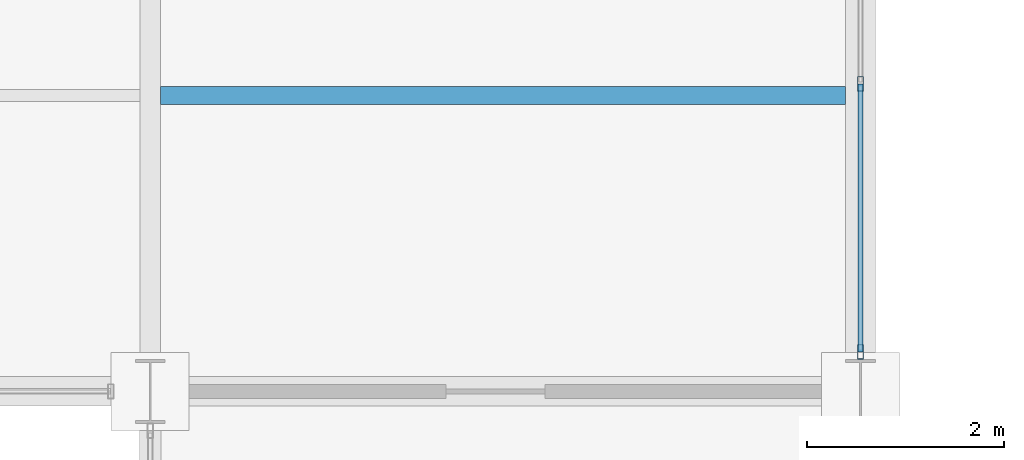
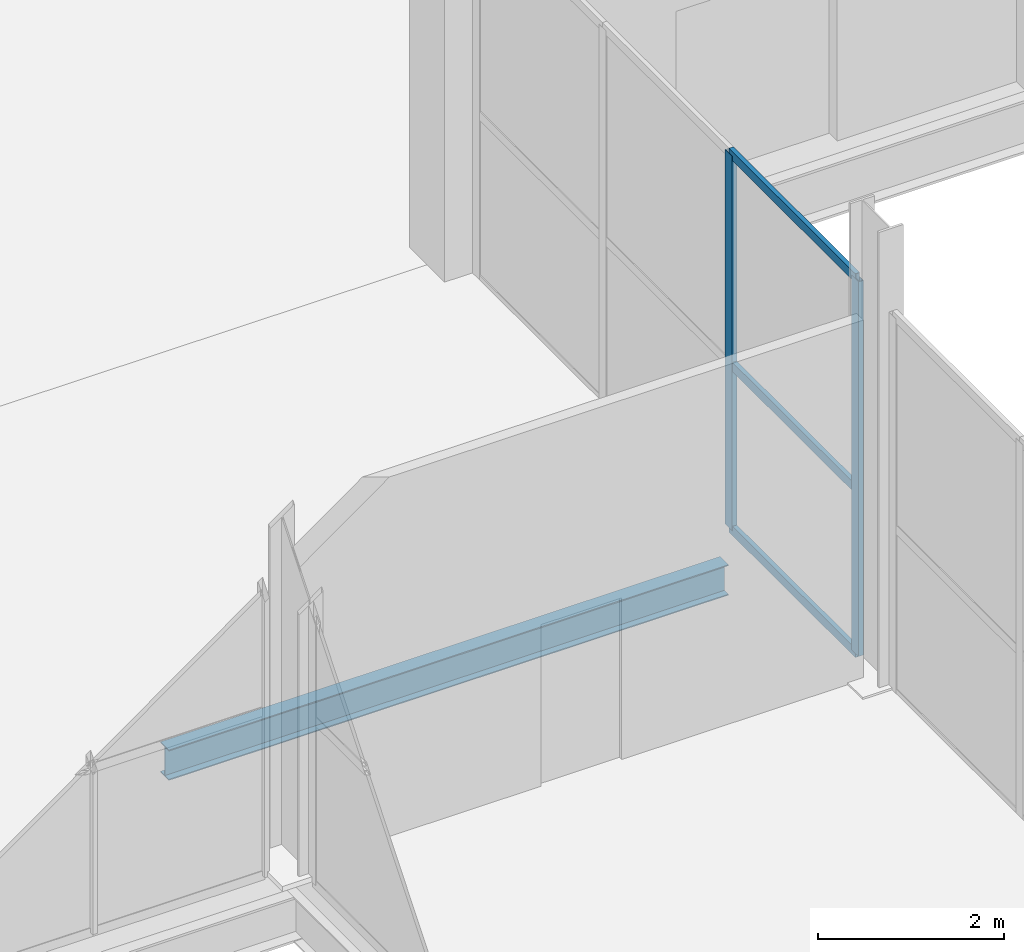
# One storey, part 97 of 144: 5 members, 1 beam, 1 element without a shape of its own.
"""IFC4 building model written with IfcOpenShell, lengths in metres."""

from ifc_helpers import new_model, si_unit, direction, frame, origin, origin_2d, place, context, subcontext, project, spatial, hollow_rectangle, i_section, extrude, material, layer, layer_set, material_profile, profile_set, type_object, element, aggregate, save


model = new_model("IFC4")

# Units and contexts
model_context = context("Model", 3, precision=1e-05, world=origin(), true_north=direction((0.0, 1.0)))
body_context = subcontext(model_context, "Body", "Model", "MODEL_VIEW")
ifc_project = project(units=[si_unit("LENGTHUNIT", "METRE"), si_unit("AREAUNIT", "SQUARE_METRE"), si_unit("VOLUMEUNIT", "CUBIC_METRE"), si_unit("PLANEANGLEUNIT", "RADIAN"), si_unit("MASSUNIT", "GRAM", prefix="KILO")], contexts=[model_context])

# Site, building, storey
site_placement = place(None, origin())
site = spatial("IfcSite", under=ifc_project, at=site_placement, CompositionType="ELEMENT")
building_placement = place(site_placement, origin())
building = spatial("IfcBuilding", under=site, at=building_placement, Name="Sundgate Opera House", CompositionType="ELEMENT")
storey_placement = place(building_placement, origin())
storey = spatial("IfcBuildingStorey", under=building, at=storey_placement, Name="L00", CompositionType="ELEMENT", Elevation=0.0)

# Beam
ifc_material_1 = material(Name="Steel S355J2", Category="steel")
ifc_material_profile_1 = material_profile(ifc_material_1, i_section(OverallWidth=0.179931640625, OverallDepth=0.39990234375, WebThickness=0.008544921875, FlangeThickness=0.013427734375, at=origin_2d()), Name="IPE 400")
ifc_profile_set_1 = profile_set([ifc_material_profile_1], Name="Steel S355J2")
beam_type = type_object("IfcBeamType", Name="BM-JS-IPE400", PredefinedType="JOIST", material=ifc_profile_set_1)
beam_placement = place(storey_placement, frame((138.705078125, 63.0, -0.52001953125), z_axis=(1.0, 0.0, 0.0), x_axis=(0.0, 1.0, 0.0)))
element("IfcBeam", 1, at=beam_placement, inside=storey, type_object=beam_type, Name="L00 Secondary Floor Joist B0834", PredefinedType="JOIST", context=body_context, shape_type="SweptSolid", body=[
    extrude(i_section(OverallWidth=0.179931640625, OverallDepth=0.39990234375, WebThickness=0.008544921875, FlangeThickness=0.013427734375, at=origin_2d()), origin(), (0.0, 0.0, 1.0), 6.94482421875),
])

# Curtain wall, members
ifc_material_2 = material(Name="Anodized aluminium and low-iron glass", Category="aluminium")
ifc_layer = layer(ifc_material_2, 0.159912109375)
ifc_layer_set = layer_set([ifc_layer], Name="Anodized aluminium and low-iron glass")
curtain_wall_type = type_object("IfcCurtainWallType", Name="CW-STUDIO-DARK", PredefinedType="NOTDEFINED", material=ifc_layer_set)
curtain_wall_placement = place(storey_placement, origin())
curtain_wall = element("IfcCurtainWall", 2, at=curtain_wall_placement, inside=storey, type_object=curtain_wall_type, Name="L00 Curtain Wall CW033", PredefinedType="NOTDEFINED")
ifc_material_3 = material(Name="Anodized aluminium EN AW-6063", Category="aluminium")
ifc_material_profile_2 = material_profile(ifc_material_3, hollow_rectangle(XDim=0.06005859375, YDim=0.14990234375, WallThickness=0.00390625, at=origin_2d()), Name="CWM 150x60x4")
ifc_profile_set_2 = profile_set([ifc_material_profile_2], Name="Anodized aluminium EN AW-6063")
member_type_1 = type_object("IfcMemberType", Name="CWM-ALU-150x60", PredefinedType="MULLION", material=ifc_profile_set_2)
member_1_placement = place(storey_placement, frame((145.800048828125, 60.39990234375, 0.0), z_axis=(0.0, 0.0, 1.0), x_axis=(1.0, 0.0, 0.0)))
member_1 = element("IfcMember", 3, at=member_1_placement, type_object=member_type_1, Name="CW033 Mullion 1", PredefinedType="MULLION", context=body_context, shape_type="SweptSolid", body=[
    extrude(hollow_rectangle(XDim=0.06005859375, YDim=0.14990234375, WallThickness=0.00390625, at=origin_2d()), origin(), (0.0, 0.0, 1.0), 4.9150390625),
])
member_2_placement = place(storey_placement, frame((145.800048828125, 63.11669921875, 0.0), z_axis=(0.0, 0.0, 1.0), x_axis=(1.0, 0.0, 0.0)))
member_2 = element("IfcMember", 4, at=member_2_placement, type_object=member_type_1, Name="CW033 Mullion 2", PredefinedType="MULLION", context=body_context, shape_type="SweptSolid", body=[
    extrude(hollow_rectangle(XDim=0.06005859375, YDim=0.14990234375, WallThickness=0.00390625, at=origin_2d()), origin(), (0.0, 0.0, 1.0), 4.9150390625),
])
ifc_material_4 = material(Name="Anodized aluminium EN AW-6063", Category="aluminium")
ifc_material_profile_3 = material_profile(ifc_material_4, hollow_rectangle(XDim=0.054931640625, YDim=0.1201171875, WallThickness=0.00390625, at=origin_2d()), Name="CWT 120x55x4")
ifc_profile_set_3 = profile_set([ifc_material_profile_3], Name="Anodized aluminium EN AW-6063")
member_type_2 = type_object("IfcMemberType", Name="CWT-ALU-120x55", PredefinedType="USERDEFINED", material=ifc_profile_set_3)
member_3_placement = place(storey_placement, frame((145.800048828125, 60.39990234375, 0.0), z_axis=(0.0, 1.0, 0.0), x_axis=(-1.0, 0.0, 0.0)))
member_3 = element("IfcMember", 5, at=member_3_placement, type_object=member_type_2, Name="CW033 Transom 1", ObjectType="TRANSOM", PredefinedType="USERDEFINED", context=body_context, shape_type="SweptSolid", body=[
    extrude(hollow_rectangle(XDim=0.054931640625, YDim=0.1201171875, WallThickness=0.00390625, at=origin_2d()), origin(), (0.0, 0.0, 1.0), 2.716796875),
])
member_4_placement = place(storey_placement, frame((145.800048828125, 60.39990234375, 2.14990234375), z_axis=(0.0, 1.0, 0.0), x_axis=(-1.0, 0.0, 0.0)))
member_4 = element("IfcMember", 6, at=member_4_placement, type_object=member_type_2, Name="CW033 Transom 2", ObjectType="TRANSOM", PredefinedType="USERDEFINED", context=body_context, shape_type="SweptSolid", body=[
    extrude(hollow_rectangle(XDim=0.054931640625, YDim=0.1201171875, WallThickness=0.00390625, at=origin_2d()), origin(), (0.0, 0.0, 1.0), 2.716796875),
])
member_5_placement = place(storey_placement, frame((145.800048828125, 60.39990234375, 4.9150390625), z_axis=(0.0, 1.0, 0.0), x_axis=(-1.0, 0.0, 0.0)))
member_5 = element("IfcMember", 7, at=member_5_placement, type_object=member_type_2, Name="CW033 Transom 3", ObjectType="TRANSOM", PredefinedType="USERDEFINED", context=body_context, shape_type="SweptSolid", body=[
    extrude(hollow_rectangle(XDim=0.054931640625, YDim=0.1201171875, WallThickness=0.00390625, at=origin_2d()), origin(), (0.0, 0.0, 1.0), 2.716796875),
])
aggregate(curtain_wall, [member_1, member_2, member_3, member_4, member_5])

save(model, "model.ifc")
